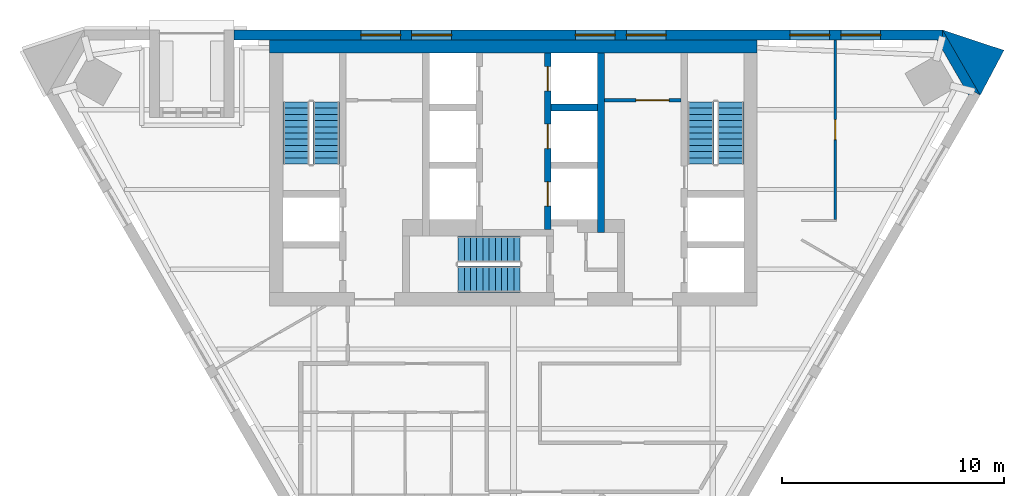
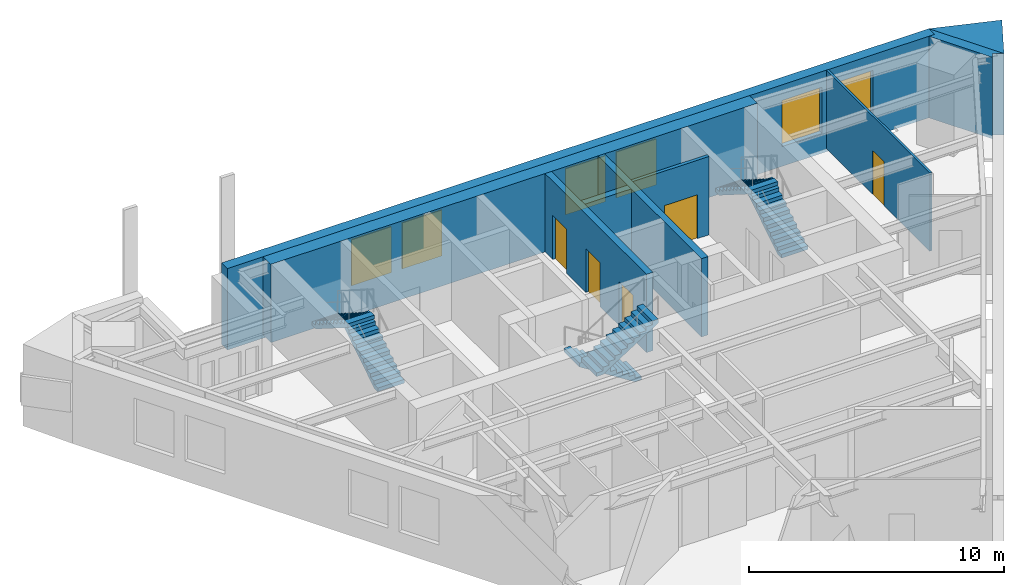
# One storey, part 5 of 6: 9 walls, 6 stair flights, 6 windows, 5 doors, 11 openings, 3 elements without a shape of their own.
"""IFC4 building model written with IfcOpenShell, lengths in metres."""

from ifc_helpers import new_model, si_unit, direction, frame, frame_2d, origin, place, context, subcontext, project, spatial, polyline, rectangle, outline, extrude, material, layer, layer_set, type_object, element, fill, aggregate, save


model = new_model("IFC4")

# Units and contexts
model_context = context("Model", 3, precision=1e-05, world=origin(), true_north=direction((0.0, 1.0)))
body_context = subcontext(model_context, "Body", "Model", "MODEL_VIEW")
ifc_project = project(units=[si_unit("LENGTHUNIT", "METRE"), si_unit("AREAUNIT", "SQUARE_METRE"), si_unit("VOLUMEUNIT", "CUBIC_METRE"), si_unit("PLANEANGLEUNIT", "RADIAN"), si_unit("MASSUNIT", "GRAM", prefix="KILO")], contexts=[model_context])

# Site, building, storey
site_placement = place(None, origin())
site = spatial("IfcSite", under=ifc_project, at=site_placement, CompositionType="ELEMENT")
building_placement = place(site_placement, origin())
building = spatial("IfcBuilding", under=site, at=building_placement, Name="Aloe Facet Convention Tower", CompositionType="ELEMENT")
storey_placement = place(building_placement, frame((0.0, 0.0, 191.89990234375)))
storey = spatial("IfcBuildingStorey", under=building, at=storey_placement, Name="L48", CompositionType="ELEMENT", Elevation=191.89990234375)

# Wall, opening, door
ifc_material_1 = material(Name="Concrete blockwork partition", Category="masonry")
ifc_layer_1 = layer(ifc_material_1, 0.14990234375)
ifc_layer_set_1 = layer_set([ifc_layer_1], Name="CR-W-PART150")
wall_type_1 = type_object("IfcWallType", Name="CR-W-PART150", PredefinedType="PARTITIONING", material=ifc_layer_set_1)
wall_1_placement = place(storey_placement, frame((84.10009765625, 131.824951171875, 0.0), z_axis=(0.0, 0.0, 1.0), x_axis=(1.0, 0.0, 0.0)))
wall_1 = element("IfcWall", 1, at=wall_1_placement, inside=storey, type_object=wall_type_1, Name="Core partition L48-025", PredefinedType="PARTITIONING", context=body_context, shape_type="SweptSolid", body=[
    extrude(rectangle(XDim=3.449951171875, YDim=0.14990234375, at=frame_2d((1.72509765625, 0.0))), origin(), (0.0, 0.0, 1.0), 3.75),
])
opening_1_placement = place(wall_1_placement, frame((1.425048828125, 0.0, 0.0)))
opening_1 = element("IfcOpeningElement", 2, at=opening_1_placement, cuts=wall_1, Name="Opening L48-CD13", PredefinedType="OPENING", context=body_context, shape_type="SweptSolid", body=[
    extrude(rectangle(XDim=1.5, YDim=2.10009765625, at=frame_2d((0.75, 1.050048828125))), frame((0.0, 0.0849609375, 0.0), z_axis=(0.0, -1.0, 0.0), x_axis=(1.0, 0.0, 0.0)), (0.0, 0.0, 1.0), 0.169921875),
])
ifc_material_2 = material(Name="Steel fire-resisting door set FD60", Category="steel")
door_type_1 = type_object("IfcDoorType", Name="CR-D-REFUGE-1500-FD60-DD", OperationType="DOUBLE_DOOR_DOUBLE_SWING", PredefinedType="DOOR", material=ifc_material_2)
door_1_placement = place(opening_1_placement, origin())
door_1 = element("IfcDoor", 3, at=door_1_placement, inside=storey, type_object=door_type_1, Name="Core door L48-CD13", OperationType="DOUBLE_DOOR_DOUBLE_SWING", OverallHeight=2.10009765625, OverallWidth=1.5, PredefinedType="DOOR", context=body_context, shape_type="SweptSolid", body=[
    extrude(rectangle(XDim=1.5, YDim=2.10009765625, at=frame_2d((0.75, 1.050048828125))), frame((0.0, 0.02490234375, 0.0), z_axis=(0.0, -1.0, 0.0), x_axis=(1.0, 0.0, 0.0)), (0.0, 0.0, 1.0), 0.050048828125),
])
fill(opening_1, door_1)

# Wall, openings, doors
ifc_material_3 = material(Name="Concrete C50/60", Category="concrete")
ifc_layer_2 = layer(ifc_material_3, 0.300048828125)
ifc_layer_set_2 = layer_set([ifc_layer_2], Name="CR-W-RC300-C5060")
wall_type_2 = type_object("IfcWallType", Name="CR-W-RC300-C5060", PredefinedType="SOLIDWALL", material=ifc_layer_set_2)
wall_2_placement = place(storey_placement, frame((81.550048828125, 133.949951171875, 0.0), z_axis=(0.0, 0.0, 1.0), x_axis=(0.0, -1.0, 0.0)))
wall_2 = element("IfcWall", 4, at=wall_2_placement, inside=storey, type_object=wall_type_2, Name="Core wall L48-016", PredefinedType="SOLIDWALL", context=body_context, shape_type="SweptSolid", body=[
    extrude(rectangle(XDim=7.949951171875, YDim=0.300048828125, at=frame_2d((3.97509765625, 0.0))), origin(), (0.0, 0.0, 1.0), 3.75),
])
opening_2_placement = place(wall_2_placement, frame((0.60009765625, 0.0, 0.0)))
opening_2 = element("IfcOpeningElement", 5, at=opening_2_placement, cuts=wall_2, Name="Opening LD-B4-L48", PredefinedType="OPENING", context=body_context, shape_type="SweptSolid", body=[
    extrude(rectangle(XDim=1.10009765625, YDim=2.10009765625, at=frame_2d((0.550048828125, 1.050048828125))), frame((0.0, 0.16015625, 0.0), z_axis=(0.0, -1.0, 0.0), x_axis=(1.0, 0.0, 0.0)), (0.0, 0.0, 1.0), 0.320068359375),
])
opening_3_placement = place(wall_2_placement, frame((3.199951171875, 0.0, 0.0)))
opening_3 = element("IfcOpeningElement", 6, at=opening_3_placement, cuts=wall_2, Name="Opening LD-B5-L48", PredefinedType="OPENING", context=body_context, shape_type="SweptSolid", body=[
    extrude(rectangle(XDim=1.10009765625, YDim=2.10009765625, at=frame_2d((0.550048828125, 1.050048828125))), frame((0.0, 0.16015625, 0.0), z_axis=(0.0, -1.0, 0.0), x_axis=(1.0, 0.0, 0.0)), (0.0, 0.0, 1.0), 0.320068359375),
])
opening_4_placement = place(wall_2_placement, frame((5.800048828125, 0.0, 0.0)))
opening_4 = element("IfcOpeningElement", 7, at=opening_4_placement, cuts=wall_2, Name="Opening LD-B6-L48", PredefinedType="OPENING", context=body_context, shape_type="SweptSolid", body=[
    extrude(rectangle(XDim=1.10009765625, YDim=2.10009765625, at=frame_2d((0.550048828125, 1.050048828125))), frame((0.0, 0.16015625, 0.0), z_axis=(0.0, -1.0, 0.0), x_axis=(1.0, 0.0, 0.0)), (0.0, 0.0, 1.0), 0.320068359375),
])
ifc_material_4 = material(Name="Stainless steel sliding landing door", Category="steel")
door_type_2 = type_object("IfcDoorType", Name="CR-LD-1100-FD60-_LEFT", OperationType="SLIDING_TO_LEFT", PredefinedType="DOOR", material=ifc_material_4)
door_2_placement = place(opening_2_placement, origin())
door_2 = element("IfcDoor", 8, at=door_2_placement, inside=storey, type_object=door_type_2, Name="Landing door B4 L48", OperationType="SLIDING_TO_LEFT", OverallHeight=2.10009765625, OverallWidth=1.10009765625, PredefinedType="DOOR", context=body_context, shape_type="SweptSolid", body=[
    extrude(rectangle(XDim=1.10009765625, YDim=2.10009765625, at=frame_2d((0.550048828125, 1.050048828125))), frame((0.0, 0.02490234375, 0.0), z_axis=(0.0, -1.0, 0.0), x_axis=(1.0, 0.0, 0.0)), (0.0, 0.0, 1.0), 0.050048828125),
])
fill(opening_2, door_2)
door_3_placement = place(opening_3_placement, origin())
door_3 = element("IfcDoor", 9, at=door_3_placement, inside=storey, type_object=door_type_2, Name="Landing door B5 L48", OperationType="SLIDING_TO_LEFT", OverallHeight=2.10009765625, OverallWidth=1.10009765625, PredefinedType="DOOR", context=body_context, shape_type="SweptSolid", body=[
    extrude(rectangle(XDim=1.10009765625, YDim=2.10009765625, at=frame_2d((0.550048828125, 1.050048828125))), frame((0.0, 0.02490234375, 0.0), z_axis=(0.0, -1.0, 0.0), x_axis=(1.0, 0.0, 0.0)), (0.0, 0.0, 1.0), 0.050048828125),
])
fill(opening_3, door_3)
door_4_placement = place(opening_4_placement, origin())
door_4 = element("IfcDoor", 10, at=door_4_placement, inside=storey, type_object=door_type_2, Name="Landing door B6 L48", OperationType="SLIDING_TO_LEFT", OverallHeight=2.10009765625, OverallWidth=1.10009765625, PredefinedType="DOOR", context=body_context, shape_type="SweptSolid", body=[
    extrude(rectangle(XDim=1.10009765625, YDim=2.10009765625, at=frame_2d((0.550048828125, 1.050048828125))), frame((0.0, 0.02490234375, 0.0), z_axis=(0.0, -1.0, 0.0), x_axis=(1.0, 0.0, 0.0)), (0.0, 0.0, 1.0), 0.050048828125),
])
fill(opening_4, door_4)

# Walls
wall_3_placement = place(storey_placement, frame((81.699951171875, 131.5, 0.0), z_axis=(0.0, 0.0, 1.0), x_axis=(1.0, 0.0, 0.0)))
element("IfcWall", 11, at=wall_3_placement, inside=storey, type_object=wall_type_2, Name="Core wall L48-018", PredefinedType="SOLIDWALL", context=body_context, shape_type="SweptSolid", body=[
    extrude(rectangle(XDim=2.10009765625, YDim=0.300048828125, at=frame_2d((1.050048828125, 0.0))), origin(), (0.0, 0.0, 1.0), 3.75),
])
wall_4_placement = place(storey_placement, frame((83.949951171875, 133.949951171875, 0.0), z_axis=(0.0, 0.0, 1.0), x_axis=(0.0, -1.0, 0.0)))
element("IfcWall", 12, at=wall_4_placement, inside=storey, type_object=wall_type_2, Name="Core wall L48-024", PredefinedType="SOLIDWALL", context=body_context, shape_type="SweptSolid", body=[
    extrude(rectangle(XDim=8.099853515625, YDim=0.300048828125, at=frame_2d((4.0498046875, 0.0))), origin(), (0.0, 0.0, 1.0), 3.75),
])
ifc_material_5 = material(Name="Concrete C50/60", Category="concrete")
ifc_layer_3 = layer(ifc_material_5, 0.60009765625)
ifc_layer_set_3 = layer_set([ifc_layer_3], Name="CR-W-RC600-C5060")
wall_type_3 = type_object("IfcWallType", Name="CR-W-RC600-C5060", PredefinedType="SOLIDWALL", material=ifc_layer_set_3)
wall_5_placement = place(storey_placement, frame((69.0, 134.25, 0.0), z_axis=(0.0, 0.0, 1.0), x_axis=(1.0, 0.0, 0.0)))
element("IfcWall", 13, at=wall_5_placement, inside=storey, type_object=wall_type_3, Name="Core wall L48-001", PredefinedType="SOLIDWALL", context=body_context, shape_type="SweptSolid", body=[
    extrude(rectangle(XDim=22.0, YDim=0.60009765625, at=frame_2d((11.0, 0.0))), origin(), (0.0, 0.0, 1.0), 3.75),
])
ifc_material_6 = material(Name="Precast concrete C40/50", Category="concrete")
ifc_layer_4 = layer(ifc_material_6, 0.449951171875)
ifc_layer_set_4 = layer_set([ifc_layer_4], Name="EV-WALL-PIER")
wall_type_4 = type_object("IfcWallType", Name="EV-WALL-PIER", PredefinedType="SOLIDWALL", material=ifc_layer_set_4)
wall_6_placement = place(storey_placement, frame((0.0, 0.0, -0.14990234375)))
element("IfcWall", 14, at=wall_6_placement, inside=storey, type_object=wall_type_4, Name="EP-L48-C", PredefinedType="SOLIDWALL", context=body_context, shape_type="SweptSolid", body=[
    extrude(outline(polyline([(101.064697265625, 132.055419921875), (100.6748046875, 132.280517578125), (100.544921875, 132.055419921875), (99.104736328125, 134.550048828125), (99.364501953125, 134.550048828125), (99.364501953125, 135.0), (101.064697265625, 132.055419921875)])), origin(), (0.0, 0.0, 1.0), 3.89990234375),
])
ifc_material_7 = material(Name="Precast concrete C40/50", Category="concrete")
ifc_layer_5 = layer(ifc_material_7, 3.947998046875)
ifc_layer_set_5 = layer_set([ifc_layer_5], Name="EV-WALL-SPINE")
wall_type_5 = type_object("IfcWallType", Name="EV-WALL-SPINE", PredefinedType="SOLIDWALL", material=ifc_layer_set_5)
wall_7_placement = place(storey_placement, frame((0.0, 0.0, -0.14990234375)))
element("IfcWall", 15, at=wall_7_placement, inside=storey, type_object=wall_type_5, Name="SP-NE-L48", PredefinedType="SOLIDWALL", context=body_context, shape_type="SweptSolid", body=[
    extrude(outline(polyline([(101.064697265625, 132.055419921875), (102.137939453125, 134.08203125), (99.364501953125, 135.0), (101.064697265625, 132.055419921875)])), origin(), (0.0, 0.0, 1.0), 3.89990234375),
])

# Wall, openings, windows
ifc_material_8 = material(Name="Precast concrete C40/50", Category="concrete")
ifc_layer_6 = layer(ifc_material_8, 0.449951171875)
ifc_layer_set_6 = layer_set([ifc_layer_6], Name="EV-WALL-STONE")
wall_type_6 = type_object("IfcWallType", Name="EV-WALL-STONE", PredefinedType="SOLIDWALL", material=ifc_layer_set_6)
wall_8_placement = place(storey_placement, frame((99.364501953125, 134.77490234375, -0.14990234375), z_axis=(0.0, 0.0, 1.0), x_axis=(-1.0, 0.0, 0.0)))
wall_8 = element("IfcWall", 16, at=wall_8_placement, inside=storey, type_object=wall_type_6, Name="EW-L48-N01", PredefinedType="SOLIDWALL", context=body_context, shape_type="SweptSolid", body=[
    extrude(outline(polyline([(0.0, 0.0), (0.0, 3.89990234375), (31.988037109375, 3.89990234375), (31.988037109375, 0.0), (0.0, 0.0)])), frame((0.0, 0.22509765625, 0.0), z_axis=(0.0, -1.0, 0.0), x_axis=(1.0, 0.0, 0.0)), (0.0, 0.0, 1.0), 0.449951171875),
])
opening_5_placement = place(wall_8_placement, frame((2.791259765625, 0.0, 0.949951171875)))
opening_5 = element("IfcOpeningElement", 17, at=opening_5_placement, cuts=wall_8, Name="Opening W-L48-N01", PredefinedType="OPENING", context=body_context, shape_type="SweptSolid", body=[
    extrude(rectangle(XDim=1.800048828125, YDim=2.199951171875, at=frame_2d((0.89990234375, 1.10009765625))), frame((0.0, 0.23486328125, 0.0), z_axis=(0.0, -1.0, 0.0), x_axis=(1.0, 0.0, 0.0)), (0.0, 0.0, 1.0), 0.469970703125),
])
opening_6_placement = place(wall_8_placement, frame((5.091064453125, 0.0, 0.949951171875)))
opening_6 = element("IfcOpeningElement", 18, at=opening_6_placement, cuts=wall_8, Name="Opening W-L48-N02", PredefinedType="OPENING", context=body_context, shape_type="SweptSolid", body=[
    extrude(rectangle(XDim=1.800048828125, YDim=2.199951171875, at=frame_2d((0.89990234375, 1.10009765625))), frame((0.0, 0.23486328125, 0.0), z_axis=(0.0, -1.0, 0.0), x_axis=(1.0, 0.0, 0.0)), (0.0, 0.0, 1.0), 0.469970703125),
])
opening_7_placement = place(wall_8_placement, frame((12.473388671875, 0.0, 0.949951171875)))
opening_7 = element("IfcOpeningElement", 19, at=opening_7_placement, cuts=wall_8, Name="Opening W-L48-N03", PredefinedType="OPENING", context=body_context, shape_type="SweptSolid", body=[
    extrude(rectangle(XDim=1.800048828125, YDim=2.199951171875, at=frame_2d((0.89990234375, 1.10009765625))), frame((0.0, 0.23486328125, 0.0), z_axis=(0.0, -1.0, 0.0), x_axis=(1.0, 0.0, 0.0)), (0.0, 0.0, 1.0), 0.469970703125),
])
opening_8_placement = place(wall_8_placement, frame((14.7734375, 0.0, 0.949951171875)))
opening_8 = element("IfcOpeningElement", 20, at=opening_8_placement, cuts=wall_8, Name="Opening W-L48-N04", PredefinedType="OPENING", context=body_context, shape_type="SweptSolid", body=[
    extrude(rectangle(XDim=1.800048828125, YDim=2.199951171875, at=frame_2d((0.89990234375, 1.10009765625))), frame((0.0, 0.23486328125, 0.0), z_axis=(0.0, -1.0, 0.0), x_axis=(1.0, 0.0, 0.0)), (0.0, 0.0, 1.0), 0.469970703125),
])
opening_9_placement = place(wall_8_placement, frame((22.15576171875, 0.0, 0.949951171875)))
opening_9 = element("IfcOpeningElement", 21, at=opening_9_placement, cuts=wall_8, Name="Opening W-L48-N05", PredefinedType="OPENING", context=body_context, shape_type="SweptSolid", body=[
    extrude(rectangle(XDim=1.800048828125, YDim=2.199951171875, at=frame_2d((0.89990234375, 1.10009765625))), frame((0.0, 0.23486328125, 0.0), z_axis=(0.0, -1.0, 0.0), x_axis=(1.0, 0.0, 0.0)), (0.0, 0.0, 1.0), 0.469970703125),
])
opening_10_placement = place(wall_8_placement, frame((24.455810546875, 0.0, 0.949951171875)))
opening_10 = element("IfcOpeningElement", 22, at=opening_10_placement, cuts=wall_8, Name="Opening W-L48-N06", PredefinedType="OPENING", context=body_context, shape_type="SweptSolid", body=[
    extrude(rectangle(XDim=1.800048828125, YDim=2.199951171875, at=frame_2d((0.89990234375, 1.10009765625))), frame((0.0, 0.23486328125, 0.0), z_axis=(0.0, -1.0, 0.0), x_axis=(1.0, 0.0, 0.0)), (0.0, 0.0, 1.0), 0.469970703125),
])
ifc_material_9 = material(Name="Aluminium frame, clear double glazing", Category="aluminium")
window_type = type_object("IfcWindowType", Name="EV-WIN-O18", PartitioningType="SINGLE_PANEL", PredefinedType="WINDOW", material=ifc_material_9)
window_1_placement = place(opening_5_placement, origin())
window_1 = element("IfcWindow", 23, at=window_1_placement, inside=storey, type_object=window_type, Name="W-L48-N01", OverallHeight=2.199951171875, OverallWidth=1.800048828125, PartitioningType="SINGLE_PANEL", PredefinedType="WINDOW", context=body_context, shape_type="SweptSolid", body=[
    extrude(rectangle(XDim=1.800048828125, YDim=2.199951171875, at=frame_2d((0.89990234375, 1.10009765625))), frame((0.0, 0.030029296875, 0.0), z_axis=(0.0, -1.0, 0.0), x_axis=(1.0, 0.0, 0.0)), (0.0, 0.0, 1.0), 0.06005859375),
])
fill(opening_5, window_1)
window_2_placement = place(opening_6_placement, origin())
window_2 = element("IfcWindow", 24, at=window_2_placement, inside=storey, type_object=window_type, Name="W-L48-N02", OverallHeight=2.199951171875, OverallWidth=1.800048828125, PartitioningType="SINGLE_PANEL", PredefinedType="WINDOW", context=body_context, shape_type="SweptSolid", body=[
    extrude(rectangle(XDim=1.800048828125, YDim=2.199951171875, at=frame_2d((0.89990234375, 1.10009765625))), frame((0.0, 0.030029296875, 0.0), z_axis=(0.0, -1.0, 0.0), x_axis=(1.0, 0.0, 0.0)), (0.0, 0.0, 1.0), 0.06005859375),
])
fill(opening_6, window_2)
window_3_placement = place(opening_7_placement, origin())
window_3 = element("IfcWindow", 25, at=window_3_placement, inside=storey, type_object=window_type, Name="W-L48-N03", OverallHeight=2.199951171875, OverallWidth=1.800048828125, PartitioningType="SINGLE_PANEL", PredefinedType="WINDOW", context=body_context, shape_type="SweptSolid", body=[
    extrude(rectangle(XDim=1.800048828125, YDim=2.199951171875, at=frame_2d((0.89990234375, 1.10009765625))), frame((0.0, 0.030029296875, 0.0), z_axis=(0.0, -1.0, 0.0), x_axis=(1.0, 0.0, 0.0)), (0.0, 0.0, 1.0), 0.06005859375),
])
fill(opening_7, window_3)
window_4_placement = place(opening_8_placement, origin())
window_4 = element("IfcWindow", 26, at=window_4_placement, inside=storey, type_object=window_type, Name="W-L48-N04", OverallHeight=2.199951171875, OverallWidth=1.800048828125, PartitioningType="SINGLE_PANEL", PredefinedType="WINDOW", context=body_context, shape_type="SweptSolid", body=[
    extrude(rectangle(XDim=1.800048828125, YDim=2.199951171875, at=frame_2d((0.89990234375, 1.10009765625))), frame((0.0, 0.030029296875, 0.0), z_axis=(0.0, -1.0, 0.0), x_axis=(1.0, 0.0, 0.0)), (0.0, 0.0, 1.0), 0.06005859375),
])
fill(opening_8, window_4)
window_5_placement = place(opening_9_placement, origin())
window_5 = element("IfcWindow", 27, at=window_5_placement, inside=storey, type_object=window_type, Name="W-L48-N05", OverallHeight=2.199951171875, OverallWidth=1.800048828125, PartitioningType="SINGLE_PANEL", PredefinedType="WINDOW", context=body_context, shape_type="SweptSolid", body=[
    extrude(rectangle(XDim=1.800048828125, YDim=2.199951171875, at=frame_2d((0.89990234375, 1.10009765625))), frame((0.0, 0.030029296875, 0.0), z_axis=(0.0, -1.0, 0.0), x_axis=(1.0, 0.0, 0.0)), (0.0, 0.0, 1.0), 0.06005859375),
])
fill(opening_9, window_5)
window_6_placement = place(opening_10_placement, origin())
window_6 = element("IfcWindow", 28, at=window_6_placement, inside=storey, type_object=window_type, Name="W-L48-N06", OverallHeight=2.199951171875, OverallWidth=1.800048828125, PartitioningType="SINGLE_PANEL", PredefinedType="WINDOW", context=body_context, shape_type="SweptSolid", body=[
    extrude(rectangle(XDim=1.800048828125, YDim=2.199951171875, at=frame_2d((0.89990234375, 1.10009765625))), frame((0.0, 0.030029296875, 0.0), z_axis=(0.0, -1.0, 0.0), x_axis=(1.0, 0.0, 0.0)), (0.0, 0.0, 1.0), 0.06005859375),
])
fill(opening_10, window_6)

# Wall, opening, door
ifc_material_10 = material(Name="Gypsum board partition on steel studs", Category="steel")
ifc_layer_7 = layer(ifc_material_10, 0.10009765625)
ifc_layer_set_7 = layer_set([ifc_layer_7], Name="IN-W-PART")
wall_type_7 = type_object("IfcWallType", Name="IN-W-PART", PredefinedType="PARTITIONING", material=ifc_layer_set_7)
wall_9_placement = place(storey_placement, frame((94.521484375, 126.449951171875, 0.0), z_axis=(0.0, 0.0, 1.0), x_axis=(0.000241123629, 0.99999997093, 0.0)))
wall_9 = element("IfcWall", 29, at=wall_9_placement, inside=storey, type_object=wall_type_7, Name="Partition L48-W036", PredefinedType="PARTITIONING", context=body_context, shape_type="SweptSolid", body=[
    extrude(rectangle(XDim=8.10009765625, YDim=0.10009765625, at=frame_2d((4.050048828125, 0.0))), origin(), (0.0, 0.0, 1.0), 3.75),
])
opening_11_placement = place(wall_9_placement, frame((3.599853515625, 0.0, 0.0)))
opening_11 = element("IfcOpeningElement", 30, at=opening_11_placement, cuts=wall_9, Name="Opening L48-006", PredefinedType="OPENING", context=body_context, shape_type="SweptSolid", body=[
    extrude(rectangle(XDim=0.89990234375, YDim=2.10009765625, at=frame_2d((0.449951171875, 1.050048828125))), frame((0.0, 0.06005859375, 0.0), z_axis=(0.0, -1.0, 0.0), x_axis=(1.0, 0.0, 0.0)), (0.0, 0.0, 1.0), 0.1201171875),
])
ifc_material_11 = material(Name="Timber door", Category="wood")
door_type_3 = type_object("IfcDoorType", Name="IN-OFF-D-ROOM", OperationType="SINGLE_SWING_LEFT", PredefinedType="DOOR", material=ifc_material_11)
door_5_placement = place(opening_11_placement, origin())
door_5 = element("IfcDoor", 31, at=door_5_placement, inside=storey, type_object=door_type_3, Name="Door L48-006", OperationType="SINGLE_SWING_LEFT", OverallHeight=2.10009765625, OverallWidth=0.89990234375, PredefinedType="DOOR", context=body_context, shape_type="SweptSolid", body=[
    extrude(rectangle(XDim=0.89990234375, YDim=2.10009765625, at=frame_2d((0.449951171875, 1.050048828125))), frame((0.0, 0.02490234375, 0.0), z_axis=(0.0, -1.0, 0.0), x_axis=(1.0, 0.0, 0.0)), (0.0, 0.0, 1.0), 0.050048828125),
])
fill(opening_11, door_5)

# Stair, stair flights
ifc_material_12 = material(Name="Concrete C50/60", Category="concrete")
stair_type = type_object("IfcStairType", Name="CR-ST-22R", PredefinedType="HALF_TURN_STAIR", material=ifc_material_12)
stair_1_placement = place(storey_placement, origin())
stair_1 = element("IfcStair", 32, at=stair_1_placement, inside=storey, type_object=stair_type, Name="L48 Protected exit stair ST1", PredefinedType="HALF_TURN_STAIR")
ifc_material_13 = material(Name="Concrete C50/60", Category="concrete")
stair_flight_type = type_object("IfcStairFlightType", Name="CR-SFL-22R", PredefinedType="STRAIGHT", material=ifc_material_13)
stair_flight_1_placement = place(storey_placement, frame((71.550048828125, 128.949951171875, 0.0), z_axis=(0.0, 0.0, 1.0), x_axis=(0.0, 1.0, 0.0)))
stair_flight_1 = element("IfcStairFlight", 33, at=stair_flight_1_placement, type_object=stair_flight_type, Name="ST1 flight 1", NumberOfRisers=11, NumberOfTreads=10, PredefinedType="STRAIGHT", RiserHeight=0.177272727, TreadLength=0.28, context=body_context, shape_type="SweptSolid", body=[
    extrude(outline(polyline([(0.0, 0.0), (0.0, 0.17724609375), (0.280029296875, 0.17724609375), (0.280029296875, 0.3544921875), (0.56005859375, 0.3544921875), (0.56005859375, 0.53173828125), (0.840087890625, 0.53173828125), (0.840087890625, 0.708984375), (1.1201171875, 0.708984375), (1.1201171875, 0.886474609375), (1.39990234375, 0.886474609375), (1.39990234375, 1.063720703125), (1.679931640625, 1.063720703125), (1.679931640625, 1.240966796875), (1.9599609375, 1.240966796875), (1.9599609375, 1.418212890625), (2.239990234375, 1.418212890625), (2.239990234375, 1.595458984375), (2.52001953125, 1.595458984375), (2.52001953125, 1.772705078125), (2.800048828125, 1.772705078125), (2.800048828125, 1.949951171875), (2.800048828125, 1.59521484375), (0.2802734375, 0.0), (0.0, 0.0)])), frame((0.0, 0.60009765625, 0.0), z_axis=(0.0, -1.0, 0.0), x_axis=(1.0, 0.0, 0.0)), (0.0, 0.0, 1.0), 1.199951171875),
])
stair_flight_2_placement = place(storey_placement, frame((70.199951171875, 131.75, 1.9501953125), z_axis=(0.0, 0.0, 1.0), x_axis=(0.0, -1.0, 0.0)))
stair_flight_2 = element("IfcStairFlight", 34, at=stair_flight_2_placement, type_object=stair_flight_type, Name="ST1 flight 2", NumberOfRisers=11, NumberOfTreads=10, PredefinedType="STRAIGHT", RiserHeight=0.177272727, TreadLength=0.28, context=body_context, shape_type="SweptSolid", body=[
    extrude(outline(polyline([(0.0, 0.0), (0.0, 0.17724609375), (0.280029296875, 0.17724609375), (0.280029296875, 0.3544921875), (0.56005859375, 0.3544921875), (0.56005859375, 0.53173828125), (0.840087890625, 0.53173828125), (0.840087890625, 0.708984375), (1.1201171875, 0.708984375), (1.1201171875, 0.886474609375), (1.39990234375, 0.886474609375), (1.39990234375, 1.063720703125), (1.679931640625, 1.063720703125), (1.679931640625, 1.240966796875), (1.9599609375, 1.240966796875), (1.9599609375, 1.418212890625), (2.239990234375, 1.418212890625), (2.239990234375, 1.595458984375), (2.52001953125, 1.595458984375), (2.52001953125, 1.772705078125), (2.800048828125, 1.772705078125), (2.800048828125, 1.949951171875), (2.800048828125, 1.59521484375), (0.2802734375, 0.0), (0.0, 0.0)])), frame((0.0, 0.60009765625, 0.0), z_axis=(0.0, -1.0, 0.0), x_axis=(1.0, 0.0, 0.0)), (0.0, 0.0, 1.0), 1.199951171875),
])
aggregate(stair_1, [stair_flight_1, stair_flight_2])

stair_2_placement = place(storey_placement, origin())
stair_2 = element("IfcStair", 35, at=stair_2_placement, inside=storey, type_object=stair_type, Name="L48 Protected exit stair ST2", PredefinedType="HALF_TURN_STAIR")
stair_flight_3_placement = place(storey_placement, frame((89.800048828125, 128.949951171875, 0.0), z_axis=(0.0, 0.0, 1.0), x_axis=(0.0, 1.0, 0.0)))
stair_flight_3 = element("IfcStairFlight", 36, at=stair_flight_3_placement, type_object=stair_flight_type, Name="ST2 flight 1", NumberOfRisers=11, NumberOfTreads=10, PredefinedType="STRAIGHT", RiserHeight=0.177272727, TreadLength=0.28, context=body_context, shape_type="SweptSolid", body=[
    extrude(outline(polyline([(0.0, 0.0), (0.0, 0.17724609375), (0.280029296875, 0.17724609375), (0.280029296875, 0.3544921875), (0.56005859375, 0.3544921875), (0.56005859375, 0.53173828125), (0.840087890625, 0.53173828125), (0.840087890625, 0.708984375), (1.1201171875, 0.708984375), (1.1201171875, 0.886474609375), (1.39990234375, 0.886474609375), (1.39990234375, 1.063720703125), (1.679931640625, 1.063720703125), (1.679931640625, 1.240966796875), (1.9599609375, 1.240966796875), (1.9599609375, 1.418212890625), (2.239990234375, 1.418212890625), (2.239990234375, 1.595458984375), (2.52001953125, 1.595458984375), (2.52001953125, 1.772705078125), (2.800048828125, 1.772705078125), (2.800048828125, 1.949951171875), (2.800048828125, 1.59521484375), (0.2802734375, 0.0), (0.0, 0.0)])), frame((0.0, 0.60009765625, 0.0), z_axis=(0.0, -1.0, 0.0), x_axis=(1.0, 0.0, 0.0)), (0.0, 0.0, 1.0), 1.199951171875),
])
stair_flight_4_placement = place(storey_placement, frame((88.449951171875, 131.75, 1.9501953125), z_axis=(0.0, 0.0, 1.0), x_axis=(0.0, -1.0, 0.0)))
stair_flight_4 = element("IfcStairFlight", 37, at=stair_flight_4_placement, type_object=stair_flight_type, Name="ST2 flight 2", NumberOfRisers=11, NumberOfTreads=10, PredefinedType="STRAIGHT", RiserHeight=0.177272727, TreadLength=0.28, context=body_context, shape_type="SweptSolid", body=[
    extrude(outline(polyline([(0.0, 0.0), (0.0, 0.17724609375), (0.280029296875, 0.17724609375), (0.280029296875, 0.3544921875), (0.56005859375, 0.3544921875), (0.56005859375, 0.53173828125), (0.840087890625, 0.53173828125), (0.840087890625, 0.708984375), (1.1201171875, 0.708984375), (1.1201171875, 0.886474609375), (1.39990234375, 0.886474609375), (1.39990234375, 1.063720703125), (1.679931640625, 1.063720703125), (1.679931640625, 1.240966796875), (1.9599609375, 1.240966796875), (1.9599609375, 1.418212890625), (2.239990234375, 1.418212890625), (2.239990234375, 1.595458984375), (2.52001953125, 1.595458984375), (2.52001953125, 1.772705078125), (2.800048828125, 1.772705078125), (2.800048828125, 1.949951171875), (2.800048828125, 1.59521484375), (0.2802734375, 0.0), (0.0, 0.0)])), frame((0.0, 0.60009765625, 0.0), z_axis=(0.0, -1.0, 0.0), x_axis=(1.0, 0.0, 0.0)), (0.0, 0.0, 1.0), 1.199951171875),
])
aggregate(stair_2, [stair_flight_3, stair_flight_4])

stair_3_placement = place(storey_placement, origin())
stair_3 = element("IfcStair", 38, at=stair_3_placement, inside=storey, type_object=stair_type, Name="L48 Protected exit stair ST3", PredefinedType="HALF_TURN_STAIR")
stair_flight_5_placement = place(storey_placement, frame((80.300048828125, 125.10009765625, 0.0), z_axis=(0.0, 0.0, 1.0), x_axis=(-1.0, 0.0, 0.0)))
stair_flight_5 = element("IfcStairFlight", 39, at=stair_flight_5_placement, type_object=stair_flight_type, Name="ST3 flight 1", NumberOfRisers=11, NumberOfTreads=10, PredefinedType="STRAIGHT", RiserHeight=0.177272727, TreadLength=0.28, context=body_context, shape_type="SweptSolid", body=[
    extrude(outline(polyline([(0.0, 0.0), (0.0, 0.17724609375), (0.280029296875, 0.17724609375), (0.280029296875, 0.3544921875), (0.56005859375, 0.3544921875), (0.56005859375, 0.53173828125), (0.840087890625, 0.53173828125), (0.840087890625, 0.708984375), (1.1201171875, 0.708984375), (1.1201171875, 0.886474609375), (1.39990234375, 0.886474609375), (1.39990234375, 1.063720703125), (1.679931640625, 1.063720703125), (1.679931640625, 1.240966796875), (1.9599609375, 1.240966796875), (1.9599609375, 1.418212890625), (2.239990234375, 1.418212890625), (2.239990234375, 1.595458984375), (2.52001953125, 1.595458984375), (2.52001953125, 1.772705078125), (2.800048828125, 1.772705078125), (2.800048828125, 1.949951171875), (2.800048828125, 1.59521484375), (0.2802734375, 0.0), (0.0, 0.0)])), frame((0.0, 0.60009765625, 0.0), z_axis=(0.0, -1.0, 0.0), x_axis=(1.0, 0.0, 0.0)), (0.0, 0.0, 1.0), 1.199951171875),
])
stair_flight_6_placement = place(storey_placement, frame((77.5, 123.75, 1.9501953125), z_axis=(0.0, 0.0, 1.0), x_axis=(1.0, 0.0, 0.0)))
stair_flight_6 = element("IfcStairFlight", 40, at=stair_flight_6_placement, type_object=stair_flight_type, Name="ST3 flight 2", NumberOfRisers=11, NumberOfTreads=10, PredefinedType="STRAIGHT", RiserHeight=0.177272727, TreadLength=0.28, context=body_context, shape_type="SweptSolid", body=[
    extrude(outline(polyline([(0.0, 0.0), (0.0, 0.17724609375), (0.280029296875, 0.17724609375), (0.280029296875, 0.3544921875), (0.56005859375, 0.3544921875), (0.56005859375, 0.53173828125), (0.840087890625, 0.53173828125), (0.840087890625, 0.708984375), (1.1201171875, 0.708984375), (1.1201171875, 0.886474609375), (1.39990234375, 0.886474609375), (1.39990234375, 1.063720703125), (1.679931640625, 1.063720703125), (1.679931640625, 1.240966796875), (1.9599609375, 1.240966796875), (1.9599609375, 1.418212890625), (2.239990234375, 1.418212890625), (2.239990234375, 1.595458984375), (2.52001953125, 1.595458984375), (2.52001953125, 1.772705078125), (2.800048828125, 1.772705078125), (2.800048828125, 1.949951171875), (2.800048828125, 1.59521484375), (0.2802734375, 0.0), (0.0, 0.0)])), frame((0.0, 0.60009765625, 0.0), z_axis=(0.0, -1.0, 0.0), x_axis=(1.0, 0.0, 0.0)), (0.0, 0.0, 1.0), 1.199951171875),
])
aggregate(stair_3, [stair_flight_5, stair_flight_6])

save(model, "model.ifc")
